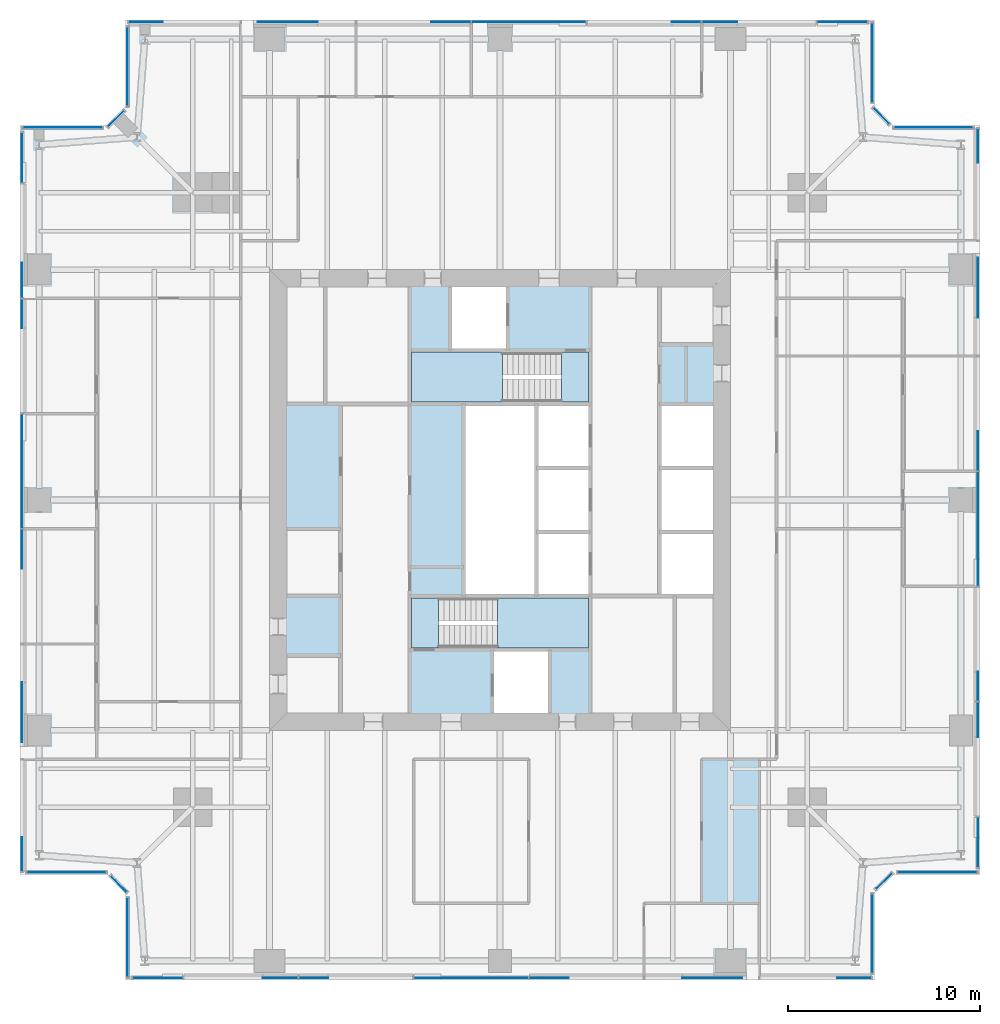
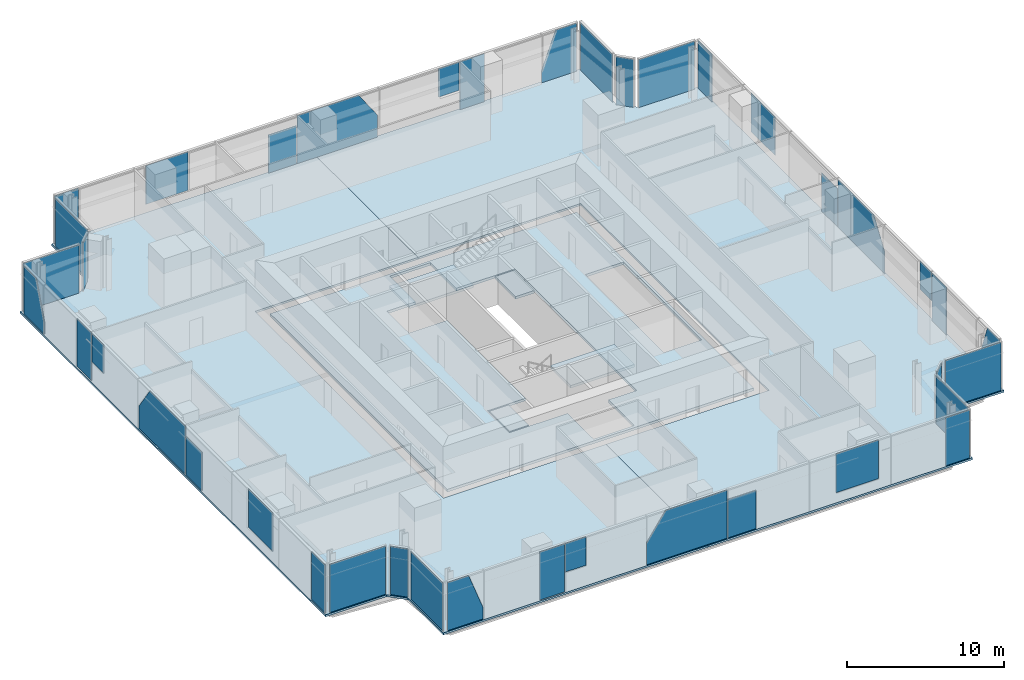
# One storey, part 8 of 14: 40 plates, 7 slabs, 18 elements without a shape of their own.
"""IFC4 building model written with IfcOpenShell, lengths in metres."""

import ifcopenshell
import ifcopenshell.guid

model = None  # the IFC model being written
_history = None  # IfcOwnerHistory: only IFC2X3 demands one
_inside = {}  # id of a spatial element -> (the spatial element, [elements in it])
_under = {}  # id of a project, library or spatial element -> (it, [spatial elements below it])
_declared = {}  # id of a project -> (the project, [libraries it declares])
_typed = {}  # id of a type object -> (the type object, [elements of that type])
_made_of = {}  # id of a material, layer set ... -> (it, [elements and type objects made of it])


def new_model(schema):
    """Start an empty IFC model of exactly this schema.

    Asked for "IFC4X3", IfcOpenShell would pick the latest addendum, in which some entities
    have other attributes; the version numbers below select the first issue.
    IFC2X3 requires an IfcOwnerHistory on every rooted entity: one is made here for all.
    """
    global model, _history
    if schema == "IFC4X3":
        model = ifcopenshell.file(schema_version=(4, 3, 0, 0))
    else:
        model = ifcopenshell.file(schema=schema)
    _inside.clear()
    _under.clear()
    _declared.clear()
    _typed.clear()
    _made_of.clear()
    _history = None
    if model.schema == "IFC2X3":
        org = make("IfcOrganization", Name="unknown")
        user = make(
            "IfcPersonAndOrganization",
            ThePerson=make("IfcPerson", FamilyName="unknown"),
            TheOrganization=org,
        )
        app = make(
            "IfcApplication",
            ApplicationDeveloper=org,
            Version="unknown",
            ApplicationFullName="unknown",
            ApplicationIdentifier="unknown",
        )
        _history = make(
            "IfcOwnerHistory",
            OwningUser=user,
            OwningApplication=app,
            ChangeAction="ADDED",
            CreationDate=0,
        )
    return model


def make(cls, **values):
    """One entity of the class cls with the attributes given. An attribute that is None is left unset."""
    return model.create_entity(
        cls, **{name: value for name, value in values.items() if value is not None}
    )


def rooted(cls, **values):
    """An entity with a GlobalId (a new one), such as an element, a storey or a relation."""
    return make(cls, GlobalId=ifcopenshell.guid.new(), OwnerHistory=_history, **values)


def si_unit(unit_type, name, prefix=None):
    """IfcSIUnit, for example si_unit("LENGTHUNIT", "METRE", prefix="MILLI")."""
    return make("IfcSIUnit", UnitType=unit_type, Prefix=prefix, Name=name)


def assignment(units):
    """IfcUnitAssignment: the units of a project."""
    return None if units is None else make("IfcUnitAssignment", Units=units)


def point(xyz):
    """IfcCartesianPoint."""
    return None if xyz is None else make("IfcCartesianPoint", Coordinates=xyz)


def direction(xyz):
    """IfcDirection."""
    return None if xyz is None else make("IfcDirection", DirectionRatios=xyz)


def frame(location, z_axis=None, x_axis=None):
    """IfcAxis2Placement3D, a coordinate frame: its origin and axes. An axis left out is left unset."""
    return make(
        "IfcAxis2Placement3D",
        Location=point(location),
        Axis=direction(z_axis),
        RefDirection=direction(x_axis),
    )


def frame_2d(location, x_axis=None):
    """IfcAxis2Placement2D, a coordinate frame in the plane: its origin and x axis."""
    return make(
        "IfcAxis2Placement2D", Location=point(location), RefDirection=direction(x_axis)
    )


def origin():
    """The frame at (0, 0, 0) with its axes left unset."""
    return frame((0.0, 0.0, 0.0))


def origin_2d():
    """The frame at (0, 0) in the plane with its x axis left unset."""
    return frame_2d((0.0, 0.0))


def place(relative_to, where):
    """IfcLocalPlacement: puts the frame where relative to a parent placement (None: the world)."""
    return make(
        "IfcLocalPlacement", PlacementRelTo=relative_to, RelativePlacement=where
    )


def context(
    kind, dimensions, precision=None, world=None, true_north=None, identifier=None
):
    """IfcGeometricRepresentationContext, for example the 3D "Model" context."""
    return make(
        "IfcGeometricRepresentationContext",
        ContextIdentifier=identifier,
        ContextType=kind,
        CoordinateSpaceDimension=dimensions,
        Precision=precision,
        WorldCoordinateSystem=world,
        TrueNorth=true_north,
    )


def subcontext(parent, identifier, kind, view, scale=None):
    """IfcGeometricRepresentationSubContext, for example "Body" below "Model"."""
    return make(
        "IfcGeometricRepresentationSubContext",
        ContextIdentifier=identifier,
        ContextType=kind,
        ParentContext=parent,
        TargetScale=scale,
        TargetView=view,
    )


def project(units=None, contexts=None):
    """IfcProject with its units and contexts."""
    return rooted(
        "IfcProject",
        Name="project",
        RepresentationContexts=contexts,
        UnitsInContext=assignment(units),
    )


def spatial(cls, under=None, at=None, **own):
    """A site, building, storey or space (cls), placed at a placement, below another one or the project."""
    s = rooted(cls, ObjectPlacement=at, **own)
    if under is not None:
        _under.setdefault(under.id(), (under, []))[1].append(s)
    return s


def polyline(points):
    """IfcPolyline through the points."""
    return make("IfcPolyline", Points=[point(p) for p in points])


def profile(cls, at=None, kind="AREA", **sizes):
    """A parametric profile (cls). Its sizes go by their IFC names, for example OverallWidth=200.0."""
    return make(cls, ProfileType=kind, Position=at, **sizes)


def rectangle(**sizes):
    """IfcRectangleProfileDef."""
    return profile("IfcRectangleProfileDef", **sizes)


def outline(outer, holes=None, kind="AREA"):
    """IfcArbitraryClosedProfileDef: a profile drawn as a closed curve; with holes, ...WithVoids."""
    if holes is None:
        return make("IfcArbitraryClosedProfileDef", ProfileType=kind, OuterCurve=outer)
    return make(
        "IfcArbitraryProfileDefWithVoids",
        ProfileType=kind,
        OuterCurve=outer,
        InnerCurves=holes,
    )


def extrude(swept, where, along, depth):
    """IfcExtrudedAreaSolid: the profile swept, set in the frame where, extruded along a direction by depth."""
    return make(
        "IfcExtrudedAreaSolid",
        SweptArea=swept,
        Position=where,
        ExtrudedDirection=direction(along),
        Depth=depth,
    )


def shape(context_of_items, identifier, shape_type, items):
    """IfcShapeRepresentation: the items that make up one representation, for example the "Body"."""
    return make(
        "IfcShapeRepresentation",
        ContextOfItems=context_of_items,
        RepresentationIdentifier=identifier,
        RepresentationType=shape_type,
        Items=items,
    )


def material(Name=None, Category=None):
    """IfcMaterial."""
    return make("IfcMaterial", Name=Name, Category=Category)


def layer(
    of_material, thickness, ventilated=None, Name=None, Category=None, Priority=None
):
    """IfcMaterialLayer: one layer of a wall or slab, of a material (None: an air gap)."""
    return make(
        "IfcMaterialLayer",
        Material=of_material,
        LayerThickness=thickness,
        IsVentilated=ventilated,
        Name=Name,
        Category=Category,
        Priority=Priority,
    )


def layer_set(layers, Name=None):
    """IfcMaterialLayerSet."""
    return make("IfcMaterialLayerSet", MaterialLayers=layers, LayerSetName=Name)


def made_of(thing, what):
    """Note that an element or type object is made of a material, layer set ...; save() writes the relation."""
    if what is not None:
        _made_of.setdefault(what.id(), (what, []))[1].append(thing)
    return thing


def type_object(cls, material=None, **own):
    """A type object (cls), such as IfcWallType, which elements share."""
    return made_of(rooted(cls, **own), material)


def element(
    cls,
    number,
    at=None,
    inside=None,
    cuts=None,
    type_object=None,
    material=None,
    context=None,
    identifier="Body",
    shape_type=None,
    held_by="IfcProductDefinitionShape",
    body=None,
    shapes=None,
    **own,
):
    """One element of the class cls, such as IfcWall. Its Tag is "e" and its number.

    at: its placement. inside: the storey or other place that contains it. cuts: it is an
    opening in that element (IfcRelVoidsElement). A single representation is given by context,
    identifier, shape_type and body (its items); several are given by shapes. held_by: the class
    of the entity that holds the representations. save() writes the other relations.
    """
    e = rooted(cls, Tag="e%d" % number, ObjectPlacement=at, **own)
    if body is not None:
        shapes = [shape(context, identifier, shape_type, body)]
    if shapes is not None:
        e.Representation = make(held_by, Representations=shapes)
    if inside is not None:
        _inside.setdefault(inside.id(), (inside, []))[1].append(e)
    if cuts is not None:
        rooted(
            "IfcRelVoidsElement", RelatingBuildingElement=cuts, RelatedOpeningElement=e
        )
    if type_object is not None:
        _typed.setdefault(type_object.id(), (type_object, []))[1].append(e)
    return made_of(e, material)


def aggregate(whole, parts):
    """IfcRelAggregates: a whole, such as a stair, and the parts it consists of."""
    return rooted("IfcRelAggregates", RelatingObject=whole, RelatedObjects=parts)


def save(model, path):
    """Write the relations noted so far, then the file.

    IfcRelAggregates (storeys below a building ...), IfcRelContainedInSpatialStructure (elements
    in a storey), IfcRelDefinesByType, IfcRelAssociatesMaterial and IfcRelDeclares: one each for
    every whole, place, type object, material and project.
    """
    for whole, parts in _under.values():
        aggregate(whole, parts)
    for where, things in _inside.values():
        rooted(
            "IfcRelContainedInSpatialStructure",
            RelatedElements=things,
            RelatingStructure=where,
        )
    for kind, things in _typed.values():
        rooted("IfcRelDefinesByType", RelatedObjects=things, RelatingType=kind)
    for what, things in _made_of.values():
        rooted("IfcRelAssociatesMaterial", RelatedObjects=things, RelatingMaterial=what)
    for by, libraries in _declared.values():
        rooted("IfcRelDeclares", RelatingContext=by, RelatedDefinitions=libraries)
    model.write(path)


model = new_model("IFC4")

# Units and contexts
model_context = context("Model", 3, precision=1e-05, world=origin(), true_north=direction((0.0, 1.0)))
body_context = subcontext(model_context, "Body", "Model", "MODEL_VIEW")
ifc_project = project(units=[si_unit("LENGTHUNIT", "METRE"), si_unit("AREAUNIT", "SQUARE_METRE"), si_unit("VOLUMEUNIT", "CUBIC_METRE"), si_unit("PLANEANGLEUNIT", "RADIAN"), si_unit("MASSUNIT", "GRAM", prefix="KILO")], contexts=[model_context])

# Site, building, storey
site_placement = place(None, origin())
site = spatial("IfcSite", under=ifc_project, at=site_placement, CompositionType="ELEMENT")
building_placement = place(site_placement, origin())
building = spatial("IfcBuilding", under=site, at=building_placement, Name="Fenwick Lantern Interchange", CompositionType="ELEMENT")
storey_placement = place(building_placement, frame((0.0, 0.0, 173.800048828125)))
storey = spatial("IfcBuildingStorey", under=building, at=storey_placement, Name="L40", CompositionType="ELEMENT", Elevation=173.800048828125)

# Slabs
ifc_material_1 = material(Name="Concrete f'c 35 MPa", Category="concrete")
ifc_layer_1 = layer(ifc_material_1, 0.199951171875)
ifc_layer_set_1 = layer_set([ifc_layer_1], Name="CORE FLOOR SLAB 200")
slab_type_1 = type_object("IfcSlabType", Name="CORE FLOOR SLAB 200", PredefinedType="FLOOR", material=ifc_layer_set_1)
slab_1_placement = place(storey_placement, frame((0.0, 0.0, -0.199951171875)))
element("IfcSlab", 1, at=slab_1_placement, inside=storey, type_object=slab_type_1, Name="L40/SLAB/CORE", PredefinedType="FLOOR", context=body_context, shape_type="SweptSolid", body=[
    extrude(outline(polyline([(13.699951171875, 36.300048828125), (36.300048828125, 36.300048828125), (36.300048828125, 13.699951171875), (13.699951171875, 13.699951171875), (13.699951171875, 36.300048828125)]), holes=[polyline([(24.60009765625, 13.89990234375), (27.60009765625, 13.89990234375), (27.60009765625, 17.199951171875), (29.699951171875, 17.199951171875), (29.699951171875, 20.0), (29.699951171875, 23.333251953125), (29.699951171875, 26.666748046875), (29.699951171875, 30.0), (29.699951171875, 32.800048828125), (25.39990234375, 32.800048828125), (25.39990234375, 36.10009765625), (22.39990234375, 36.10009765625), (22.39990234375, 32.800048828125), (20.300048828125, 32.800048828125), (20.300048828125, 30.0), (23.10009765625, 30.0), (23.10009765625, 20.0), (20.300048828125, 20.0), (20.300048828125, 17.199951171875), (24.60009765625, 17.199951171875), (24.60009765625, 13.89990234375)]), polyline([(33.300048828125, 23.333251953125), (33.300048828125, 20.0), (36.10009765625, 20.0), (36.10009765625, 23.333251953125), (36.10009765625, 26.666748046875), (36.10009765625, 30.0), (33.300048828125, 30.0), (33.300048828125, 26.666748046875), (33.300048828125, 23.333251953125)])]), origin(), (0.0, 0.0, 1.0), 0.199951171875),
])
ifc_material_2 = material(Name="Concrete f'c 35 MPa", Category="concrete")
ifc_layer_2 = layer(ifc_material_2, 0.14990234375)
ifc_layer_set_2 = layer_set([ifc_layer_2], Name="Concrete f'c 35 MPa")
slab_type_2 = type_object("IfcSlabType", Name="FLOOR SLAB 150", PredefinedType="FLOOR", material=ifc_layer_set_2)
slab_2_placement = place(storey_placement, frame((0.0, 0.0, -0.150146484375)))
element("IfcSlab", 2, at=slab_2_placement, inside=storey, type_object=slab_type_2, Name="L40/SLAB/FW", PredefinedType="FLOOR", context=body_context, shape_type="SweptSolid", body=[
    extrude(outline(polyline([(5.5, 0.0), (5.5, 4.5), (4.5, 5.5), (0.0, 5.5), (0.0, 44.5), (4.5, 44.5), (5.5, 45.5), (5.5, 50.0), (25.0, 50.0), (25.0, 37.0), (13.0, 37.0), (13.0, 13.0), (25.0, 13.0), (25.0, 0.0), (5.5, 0.0)])), origin(), (0.0, 0.0, 1.0), 0.150146484375),
])
slab_3_placement = place(storey_placement, frame((0.0, 0.0, -0.150146484375)))
element("IfcSlab", 3, at=slab_3_placement, inside=storey, type_object=slab_type_2, Name="L40/SLAB/FE", PredefinedType="FLOOR", context=body_context, shape_type="SweptSolid", body=[
    extrude(outline(polyline([(44.5, 50.0), (44.5, 45.5), (45.5, 44.5), (50.0, 44.5), (50.0, 5.5), (45.5, 5.5), (44.5, 4.5), (44.5, 0.0), (25.0, 0.0), (25.0, 13.0), (37.0, 13.0), (37.0, 37.0), (25.0, 37.0), (25.0, 50.0), (44.5, 50.0)])), origin(), (0.0, 0.0, 1.0), 0.150146484375),
])

# Curtain wall, plates
ifc_material_3 = material(Name="Aluminium curtain wall frame", Category="aluminium")
curtain_wall_type = type_object("IfcCurtainWallType", Name="OFFICE CURTAIN WALL", PredefinedType="USERDEFINED", material=ifc_material_3)
curtain_wall_1_placement = place(storey_placement, origin())
curtain_wall_1 = element("IfcCurtainWall", 4, at=curtain_wall_1_placement, inside=storey, type_object=curtain_wall_type, Name="Office curtain wall 01", ObjectType="OFFICE CURTAIN WALL", PredefinedType="USERDEFINED")
ifc_material_4 = material(Name="Vision glass, clear low-iron double glazed", Category="glass")
ifc_layer_3 = layer(ifc_material_4, 0.031982421875)
ifc_layer_set_3 = layer_set([ifc_layer_3], Name="OFFICE CURTAIN WALL PANEL 32")
plate_type = type_object("IfcPlateType", Name="OFFICE CURTAIN WALL PANEL 32", PredefinedType="CURTAIN_PANEL", material=ifc_layer_set_3)
plate_1_placement = place(storey_placement, frame((5.60009765625, 0.10009765625, 0.0), z_axis=(0.0, 0.0, 1.0), x_axis=(1.0, 0.0, 0.0)))
plate_1 = element("IfcPlate", 5, at=plate_1_placement, type_object=plate_type, Name="L40/CW/01/P00a", PredefinedType="CURTAIN_PANEL", context=body_context, shape_type="SweptSolid", body=[
    extrude(outline(polyline([(0.264892578125, 0.0), (2.867431640625, 0.0), (2.867431640625, 0.932373046875), (1.8203125, 3.75), (0.264892578125, 3.75), (0.264892578125, 0.0)])), frame((0.0, 0.01611328125, 0.0), z_axis=(0.0, -1.0, 0.0), x_axis=(1.0, 0.0, 0.0)), (0.0, 0.0, 1.0), 0.031982421875),
])
plate_2_placement = place(storey_placement, frame((5.60009765625, 0.10009765625, 0.009521484375), z_axis=(0.0, 0.0, 1.0), x_axis=(1.0, 0.0, 0.0)))
plate_2 = element("IfcPlate", 6, at=plate_2_placement, type_object=plate_type, Name="L40/CW/01/P01a", PredefinedType="CURTAIN_PANEL", context=body_context, shape_type="SweptSolid", body=[
    extrude(outline(polyline([(7.051025390625, 0.0), (8.867431640625, 0.0), (8.867431640625, 3.740478515625), (7.051025390625, 3.740478515625), (7.051025390625, 0.0)])), frame((0.0, 0.01611328125, 0.0), z_axis=(0.0, -1.0, 0.0), x_axis=(1.0, 0.0, 0.0)), (0.0, 0.0, 1.0), 0.031982421875),
])
plate_3_placement = place(storey_placement, frame((5.60009765625, 0.10009765625, 1.533935546875), z_axis=(0.0, 0.0, 1.0), x_axis=(1.0, 0.0, 0.0)))
plate_3 = element("IfcPlate", 7, at=plate_3_placement, type_object=plate_type, Name="L40/CW/01/P02a", PredefinedType="CURTAIN_PANEL", context=body_context, shape_type="SweptSolid", body=[
    extrude(outline(polyline([(8.9326171875, 0.0), (10.452392578125, 0.0), (10.452392578125, 2.216064453125), (8.9326171875, 2.216064453125), (8.9326171875, 0.0)])), frame((0.0, 0.01611328125, 0.0), z_axis=(0.0, -1.0, 0.0), x_axis=(1.0, 0.0, 0.0)), (0.0, 0.0, 1.0), 0.031982421875),
])
plate_4_placement = place(storey_placement, frame((5.60009765625, 0.10009765625, 0.0), z_axis=(0.0, 0.0, 1.0), x_axis=(1.0, 0.0, 0.0)))
plate_4 = element("IfcPlate", 8, at=plate_4_placement, type_object=plate_type, Name="L40/CW/01/P03a", PredefinedType="CURTAIN_PANEL", context=body_context, shape_type="SweptSolid", body=[
    extrude(outline(polyline([(14.9326171875, 0.0), (20.867431640625, 0.0), (20.867431640625, 3.75), (16.338623046875, 3.75), (14.9326171875, 1.700439453125), (14.9326171875, 0.0)])), frame((0.0, 0.01611328125, 0.0), z_axis=(0.0, -1.0, 0.0), x_axis=(1.0, 0.0, 0.0)), (0.0, 0.0, 1.0), 0.031982421875),
])
plate_5_placement = place(storey_placement, frame((5.60009765625, 0.10009765625, 0.0), z_axis=(0.0, 0.0, 1.0), x_axis=(1.0, 0.0, 0.0)))
plate_5 = element("IfcPlate", 9, at=plate_5_placement, type_object=plate_type, Name="L40/CW/01/P04a", PredefinedType="CURTAIN_PANEL", context=body_context, shape_type="SweptSolid", body=[
    extrude(outline(polyline([(20.9326171875, 0.0), (22.982421875, 0.0), (22.982421875, 2.990478515625), (20.9326171875, 2.990478515625), (20.9326171875, 0.0)])), frame((0.0, 0.01611328125, 0.0), z_axis=(0.0, -1.0, 0.0), x_axis=(1.0, 0.0, 0.0)), (0.0, 0.0, 1.0), 0.031982421875),
])
plate_6_placement = place(storey_placement, frame((5.60009765625, 0.10009765625, 0.732421875), z_axis=(0.0, 0.0, 1.0), x_axis=(1.0, 0.0, 0.0)))
plate_6 = element("IfcPlate", 10, at=plate_6_placement, type_object=plate_type, Name="L40/CW/01/P05a", PredefinedType="CURTAIN_PANEL", context=body_context, shape_type="SweptSolid", body=[
    extrude(outline(polyline([(28.8974609375, 0.0), (32.017578125, 0.0), (32.017578125, 3.017578125), (28.8974609375, 3.017578125), (28.8974609375, 0.0)])), frame((0.0, 0.01611328125, 0.0), z_axis=(0.0, -1.0, 0.0), x_axis=(1.0, 0.0, 0.0)), (0.0, 0.0, 1.0), 0.031982421875),
])
plate_7_placement = place(storey_placement, frame((5.60009765625, 0.10009765625, 0.0), z_axis=(0.0, 0.0, 1.0), x_axis=(1.0, 0.0, 0.0)))
plate_7 = element("IfcPlate", 11, at=plate_7_placement, type_object=plate_type, Name="L40/CW/01/P06a", PredefinedType="CURTAIN_PANEL", context=body_context, shape_type="SweptSolid", body=[
    extrude(outline(polyline([(36.97607421875, 0.0), (38.735107421875, 0.0), (38.735107421875, 3.740234375), (36.97607421875, 3.740234375), (36.97607421875, 0.0)])), frame((0.0, 0.01611328125, 0.0), z_axis=(0.0, -1.0, 0.0), x_axis=(1.0, 0.0, 0.0)), (0.0, 0.0, 1.0), 0.031982421875),
])
aggregate(curtain_wall_1, [plate_1, plate_2, plate_3, plate_4, plate_5, plate_6, plate_7])

# Curtain wall, plate
curtain_wall_2_placement = place(storey_placement, origin())
curtain_wall_2 = element("IfcCurtainWall", 12, at=curtain_wall_2_placement, inside=storey, type_object=curtain_wall_type, Name="Office curtain wall 02", ObjectType="OFFICE CURTAIN WALL", PredefinedType="USERDEFINED")
plate_8_placement = place(storey_placement, frame((44.39990234375, 2.420654296875, 0.0), z_axis=(0.0, 0.0, 1.0), x_axis=(0.0, 1.0, 0.0)))
plate_8 = element("IfcPlate", 13, at=plate_8_placement, type_object=plate_type, Name="L40/CW/02/P00", PredefinedType="CURTAIN_PANEL", context=body_context, shape_type="SweptSolid", body=[
    extrude(rectangle(XDim=4.111328125, YDim=0.031982421875, at=origin_2d()), origin(), (0.0, 0.0, 1.0), 3.75),
])
aggregate(curtain_wall_2, [plate_8])

curtain_wall_3_placement = place(storey_placement, origin())
curtain_wall_3 = element("IfcCurtainWall", 14, at=curtain_wall_3_placement, inside=storey, type_object=curtain_wall_type, Name="Office curtain wall 03", ObjectType="OFFICE CURTAIN WALL", PredefinedType="USERDEFINED")
plate_9_placement = place(storey_placement, frame((45.0, 5.141357421875, 0.0), z_axis=(0.0, 0.0, 1.0), x_axis=(0.707106781187, 0.707106781187, 0.0)))
plate_9 = element("IfcPlate", 15, at=plate_9_placement, type_object=plate_type, Name="L40/CW/03/P00", PredefinedType="CURTAIN_PANEL", context=body_context, shape_type="SweptSolid", body=[
    extrude(rectangle(XDim=1.1669921875, YDim=0.031982421875, at=origin_2d()), origin(), (0.0, 0.0, 1.0), 3.75),
])
aggregate(curtain_wall_3, [plate_9])

curtain_wall_4_placement = place(storey_placement, origin())
curtain_wall_4 = element("IfcCurtainWall", 16, at=curtain_wall_4_placement, inside=storey, type_object=curtain_wall_type, Name="Office curtain wall 04", ObjectType="OFFICE CURTAIN WALL", PredefinedType="USERDEFINED")
plate_10_placement = place(storey_placement, frame((47.779296875, 5.60009765625, 0.0), z_axis=(0.0, 0.0, 1.0), x_axis=(1.0, 0.0, 0.0)))
plate_10 = element("IfcPlate", 17, at=plate_10_placement, type_object=plate_type, Name="L40/CW/04/P00", PredefinedType="CURTAIN_PANEL", context=body_context, shape_type="SweptSolid", body=[
    extrude(rectangle(XDim=4.111328125, YDim=0.031982421875, at=origin_2d()), origin(), (0.0, 0.0, 1.0), 3.75),
])
aggregate(curtain_wall_4, [plate_10])

# Curtain wall, plates
curtain_wall_5_placement = place(storey_placement, origin())
curtain_wall_5 = element("IfcCurtainWall", 18, at=curtain_wall_5_placement, inside=storey, type_object=curtain_wall_type, Name="Office curtain wall 05", ObjectType="OFFICE CURTAIN WALL", PredefinedType="USERDEFINED")
plate_11_placement = place(storey_placement, frame((49.89990234375, 5.60009765625, 0.0), z_axis=(0.0, 0.0, 1.0), x_axis=(0.0, 1.0, 0.0)))
plate_11 = element("IfcPlate", 19, at=plate_11_placement, type_object=plate_type, Name="L40/CW/05/P00a", PredefinedType="CURTAIN_PANEL", context=body_context, shape_type="SweptSolid", body=[
    extrude(outline(polyline([(0.264892578125, 0.0), (2.867431640625, 0.0), (2.867431640625, 0.932373046875), (1.8203125, 3.75), (0.264892578125, 3.75), (0.264892578125, 0.0)])), frame((0.0, 0.01611328125, 0.0), z_axis=(0.0, -1.0, 0.0), x_axis=(1.0, 0.0, 0.0)), (0.0, 0.0, 1.0), 0.031982421875),
])
plate_12_placement = place(storey_placement, frame((49.89990234375, 5.60009765625, 0.009521484375), z_axis=(0.0, 0.0, 1.0), x_axis=(0.0, 1.0, 0.0)))
plate_12 = element("IfcPlate", 20, at=plate_12_placement, type_object=plate_type, Name="L40/CW/05/P01a", PredefinedType="CURTAIN_PANEL", context=body_context, shape_type="SweptSolid", body=[
    extrude(outline(polyline([(7.051025390625, 0.0), (8.867431640625, 0.0), (8.867431640625, 3.740478515625), (7.051025390625, 3.740478515625), (7.051025390625, 0.0)])), frame((0.0, 0.01611328125, 0.0), z_axis=(0.0, -1.0, 0.0), x_axis=(1.0, 0.0, 0.0)), (0.0, 0.0, 1.0), 0.031982421875),
])
plate_13_placement = place(storey_placement, frame((49.89990234375, 5.60009765625, 1.533935546875), z_axis=(0.0, 0.0, 1.0), x_axis=(0.0, 1.0, 0.0)))
plate_13 = element("IfcPlate", 21, at=plate_13_placement, type_object=plate_type, Name="L40/CW/05/P02a", PredefinedType="CURTAIN_PANEL", context=body_context, shape_type="SweptSolid", body=[
    extrude(outline(polyline([(8.9326171875, 0.0), (10.452392578125, 0.0), (10.452392578125, 2.216064453125), (8.9326171875, 2.216064453125), (8.9326171875, 0.0)])), frame((0.0, 0.01611328125, 0.0), z_axis=(0.0, -1.0, 0.0), x_axis=(1.0, 0.0, 0.0)), (0.0, 0.0, 1.0), 0.031982421875),
])
plate_14_placement = place(storey_placement, frame((49.89990234375, 5.60009765625, 0.0), z_axis=(0.0, 0.0, 1.0), x_axis=(0.0, 1.0, 0.0)))
plate_14 = element("IfcPlate", 22, at=plate_14_placement, type_object=plate_type, Name="L40/CW/05/P03a", PredefinedType="CURTAIN_PANEL", context=body_context, shape_type="SweptSolid", body=[
    extrude(outline(polyline([(14.9326171875, 0.0), (20.867431640625, 0.0), (20.867431640625, 3.75), (16.338623046875, 3.75), (14.9326171875, 1.700439453125), (14.9326171875, 0.0)])), frame((0.0, 0.01611328125, 0.0), z_axis=(0.0, -1.0, 0.0), x_axis=(1.0, 0.0, 0.0)), (0.0, 0.0, 1.0), 0.031982421875),
])
plate_15_placement = place(storey_placement, frame((49.89990234375, 5.60009765625, 0.0), z_axis=(0.0, 0.0, 1.0), x_axis=(0.0, 1.0, 0.0)))
plate_15 = element("IfcPlate", 23, at=plate_15_placement, type_object=plate_type, Name="L40/CW/05/P04a", PredefinedType="CURTAIN_PANEL", context=body_context, shape_type="SweptSolid", body=[
    extrude(outline(polyline([(20.9326171875, 0.0), (22.982421875, 0.0), (22.982421875, 2.990478515625), (20.9326171875, 2.990478515625), (20.9326171875, 0.0)])), frame((0.0, 0.01611328125, 0.0), z_axis=(0.0, -1.0, 0.0), x_axis=(1.0, 0.0, 0.0)), (0.0, 0.0, 1.0), 0.031982421875),
])
plate_16_placement = place(storey_placement, frame((49.89990234375, 5.60009765625, 0.732421875), z_axis=(0.0, 0.0, 1.0), x_axis=(0.0, 1.0, 0.0)))
plate_16 = element("IfcPlate", 24, at=plate_16_placement, type_object=plate_type, Name="L40/CW/05/P05a", PredefinedType="CURTAIN_PANEL", context=body_context, shape_type="SweptSolid", body=[
    extrude(outline(polyline([(28.8974609375, 0.0), (32.017578125, 0.0), (32.017578125, 3.017578125), (28.8974609375, 3.017578125), (28.8974609375, 0.0)])), frame((0.0, 0.01611328125, 0.0), z_axis=(0.0, -1.0, 0.0), x_axis=(1.0, 0.0, 0.0)), (0.0, 0.0, 1.0), 0.031982421875),
])
plate_17_placement = place(storey_placement, frame((49.89990234375, 5.60009765625, 0.0), z_axis=(0.0, 0.0, 1.0), x_axis=(0.0, 1.0, 0.0)))
plate_17 = element("IfcPlate", 25, at=plate_17_placement, type_object=plate_type, Name="L40/CW/05/P06a", PredefinedType="CURTAIN_PANEL", context=body_context, shape_type="SweptSolid", body=[
    extrude(outline(polyline([(36.97607421875, 0.0), (38.735107421875, 0.0), (38.735107421875, 3.740234375), (36.97607421875, 3.740234375), (36.97607421875, 0.0)])), frame((0.0, 0.01611328125, 0.0), z_axis=(0.0, -1.0, 0.0), x_axis=(1.0, 0.0, 0.0)), (0.0, 0.0, 1.0), 0.031982421875),
])
aggregate(curtain_wall_5, [plate_11, plate_12, plate_13, plate_14, plate_15, plate_16, plate_17])

# Curtain wall, plate
curtain_wall_6_placement = place(storey_placement, origin())
curtain_wall_6 = element("IfcCurtainWall", 26, at=curtain_wall_6_placement, inside=storey, type_object=curtain_wall_type, Name="Office curtain wall 06", ObjectType="OFFICE CURTAIN WALL", PredefinedType="USERDEFINED")
plate_18_placement = place(storey_placement, frame((47.579345703125, 44.39990234375, 0.0), z_axis=(0.0, 0.0, 1.0), x_axis=(-1.0, 0.0, 0.0)))
plate_18 = element("IfcPlate", 27, at=plate_18_placement, type_object=plate_type, Name="L40/CW/06/P00", PredefinedType="CURTAIN_PANEL", context=body_context, shape_type="SweptSolid", body=[
    extrude(rectangle(XDim=4.111328125, YDim=0.031982421875, at=origin_2d()), origin(), (0.0, 0.0, 1.0), 3.75),
])
aggregate(curtain_wall_6, [plate_18])

curtain_wall_7_placement = place(storey_placement, origin())
curtain_wall_7 = element("IfcCurtainWall", 28, at=curtain_wall_7_placement, inside=storey, type_object=curtain_wall_type, Name="Office curtain wall 07", ObjectType="OFFICE CURTAIN WALL", PredefinedType="USERDEFINED")
plate_19_placement = place(storey_placement, frame((44.858642578125, 45.0, 0.0), z_axis=(0.0, 0.0, 1.0), x_axis=(-0.707106781187, 0.707106781187, 0.0)))
plate_19 = element("IfcPlate", 29, at=plate_19_placement, type_object=plate_type, Name="L40/CW/07/P00", PredefinedType="CURTAIN_PANEL", context=body_context, shape_type="SweptSolid", body=[
    extrude(rectangle(XDim=1.1669921875, YDim=0.031982421875, at=origin_2d()), origin(), (0.0, 0.0, 1.0), 3.75),
])
aggregate(curtain_wall_7, [plate_19])

curtain_wall_8_placement = place(storey_placement, origin())
curtain_wall_8 = element("IfcCurtainWall", 30, at=curtain_wall_8_placement, inside=storey, type_object=curtain_wall_type, Name="Office curtain wall 08", ObjectType="OFFICE CURTAIN WALL", PredefinedType="USERDEFINED")
plate_20_placement = place(storey_placement, frame((44.39990234375, 47.779296875, 0.0), z_axis=(0.0, 0.0, 1.0), x_axis=(0.0, 1.0, 0.0)))
plate_20 = element("IfcPlate", 31, at=plate_20_placement, type_object=plate_type, Name="L40/CW/08/P00", PredefinedType="CURTAIN_PANEL", context=body_context, shape_type="SweptSolid", body=[
    extrude(rectangle(XDim=4.111328125, YDim=0.031982421875, at=origin_2d()), origin(), (0.0, 0.0, 1.0), 3.75),
])
aggregate(curtain_wall_8, [plate_20])

# Curtain wall, plates
curtain_wall_9_placement = place(storey_placement, origin())
curtain_wall_9 = element("IfcCurtainWall", 32, at=curtain_wall_9_placement, inside=storey, type_object=curtain_wall_type, Name="Office curtain wall 09", ObjectType="OFFICE CURTAIN WALL", PredefinedType="USERDEFINED")
plate_21_placement = place(storey_placement, frame((44.39990234375, 49.89990234375, 0.0), z_axis=(0.0, 0.0, 1.0), x_axis=(-1.0, 0.0, 0.0)))
plate_21 = element("IfcPlate", 33, at=plate_21_placement, type_object=plate_type, Name="L40/CW/09/P00a", PredefinedType="CURTAIN_PANEL", context=body_context, shape_type="SweptSolid", body=[
    extrude(outline(polyline([(0.264892578125, 0.0), (2.867431640625, 0.0), (2.867431640625, 0.932373046875), (1.8203125, 3.75), (0.264892578125, 3.75), (0.264892578125, 0.0)])), frame((0.0, 0.01611328125, 0.0), z_axis=(0.0, -1.0, 0.0), x_axis=(1.0, 0.0, 0.0)), (0.0, 0.0, 1.0), 0.031982421875),
])
plate_22_placement = place(storey_placement, frame((44.39990234375, 49.89990234375, 0.009521484375), z_axis=(0.0, 0.0, 1.0), x_axis=(-1.0, 0.0, 0.0)))
plate_22 = element("IfcPlate", 34, at=plate_22_placement, type_object=plate_type, Name="L40/CW/09/P01a", PredefinedType="CURTAIN_PANEL", context=body_context, shape_type="SweptSolid", body=[
    extrude(outline(polyline([(7.051025390625, 0.0), (8.867431640625, 0.0), (8.867431640625, 3.740478515625), (7.051025390625, 3.740478515625), (7.051025390625, 0.0)])), frame((0.0, 0.01611328125, 0.0), z_axis=(0.0, -1.0, 0.0), x_axis=(1.0, 0.0, 0.0)), (0.0, 0.0, 1.0), 0.031982421875),
])
plate_23_placement = place(storey_placement, frame((44.39990234375, 49.89990234375, 1.533935546875), z_axis=(0.0, 0.0, 1.0), x_axis=(-1.0, 0.0, 0.0)))
plate_23 = element("IfcPlate", 35, at=plate_23_placement, type_object=plate_type, Name="L40/CW/09/P02a", PredefinedType="CURTAIN_PANEL", context=body_context, shape_type="SweptSolid", body=[
    extrude(outline(polyline([(8.9326171875, 0.0), (10.452392578125, 0.0), (10.452392578125, 2.216064453125), (8.9326171875, 2.216064453125), (8.9326171875, 0.0)])), frame((0.0, 0.01611328125, 0.0), z_axis=(0.0, -1.0, 0.0), x_axis=(1.0, 0.0, 0.0)), (0.0, 0.0, 1.0), 0.031982421875),
])
plate_24_placement = place(storey_placement, frame((44.39990234375, 49.89990234375, 0.0), z_axis=(0.0, 0.0, 1.0), x_axis=(-1.0, 0.0, 0.0)))
plate_24 = element("IfcPlate", 36, at=plate_24_placement, type_object=plate_type, Name="L40/CW/09/P03a", PredefinedType="CURTAIN_PANEL", context=body_context, shape_type="SweptSolid", body=[
    extrude(outline(polyline([(14.9326171875, 0.0), (20.867431640625, 0.0), (20.867431640625, 3.75), (16.338623046875, 3.75), (14.9326171875, 1.700439453125), (14.9326171875, 0.0)])), frame((0.0, 0.01611328125, 0.0), z_axis=(0.0, -1.0, 0.0), x_axis=(1.0, 0.0, 0.0)), (0.0, 0.0, 1.0), 0.031982421875),
])
plate_25_placement = place(storey_placement, frame((44.39990234375, 49.89990234375, 0.0), z_axis=(0.0, 0.0, 1.0), x_axis=(-1.0, 0.0, 0.0)))
plate_25 = element("IfcPlate", 37, at=plate_25_placement, type_object=plate_type, Name="L40/CW/09/P04a", PredefinedType="CURTAIN_PANEL", context=body_context, shape_type="SweptSolid", body=[
    extrude(outline(polyline([(20.9326171875, 0.0), (22.982421875, 0.0), (22.982421875, 2.990478515625), (20.9326171875, 2.990478515625), (20.9326171875, 0.0)])), frame((0.0, 0.01611328125, 0.0), z_axis=(0.0, -1.0, 0.0), x_axis=(1.0, 0.0, 0.0)), (0.0, 0.0, 1.0), 0.031982421875),
])
plate_26_placement = place(storey_placement, frame((44.39990234375, 49.89990234375, 0.732421875), z_axis=(0.0, 0.0, 1.0), x_axis=(-1.0, 0.0, 0.0)))
plate_26 = element("IfcPlate", 38, at=plate_26_placement, type_object=plate_type, Name="L40/CW/09/P05a", PredefinedType="CURTAIN_PANEL", context=body_context, shape_type="SweptSolid", body=[
    extrude(outline(polyline([(28.8974609375, 0.0), (32.017578125, 0.0), (32.017578125, 3.017578125), (28.8974609375, 3.017578125), (28.8974609375, 0.0)])), frame((0.0, 0.01611328125, 0.0), z_axis=(0.0, -1.0, 0.0), x_axis=(1.0, 0.0, 0.0)), (0.0, 0.0, 1.0), 0.031982421875),
])
plate_27_placement = place(storey_placement, frame((44.39990234375, 49.89990234375, 0.0), z_axis=(0.0, 0.0, 1.0), x_axis=(-1.0, 0.0, 0.0)))
plate_27 = element("IfcPlate", 39, at=plate_27_placement, type_object=plate_type, Name="L40/CW/09/P06a", PredefinedType="CURTAIN_PANEL", context=body_context, shape_type="SweptSolid", body=[
    extrude(outline(polyline([(36.97607421875, 0.0), (38.735107421875, 0.0), (38.735107421875, 3.740234375), (36.97607421875, 3.740234375), (36.97607421875, 0.0)])), frame((0.0, 0.01611328125, 0.0), z_axis=(0.0, -1.0, 0.0), x_axis=(1.0, 0.0, 0.0)), (0.0, 0.0, 1.0), 0.031982421875),
])
aggregate(curtain_wall_9, [plate_21, plate_22, plate_23, plate_24, plate_25, plate_26, plate_27])

# Curtain wall, plate
curtain_wall_10_placement = place(storey_placement, origin())
curtain_wall_10 = element("IfcCurtainWall", 40, at=curtain_wall_10_placement, inside=storey, type_object=curtain_wall_type, Name="Office curtain wall 10", ObjectType="OFFICE CURTAIN WALL", PredefinedType="USERDEFINED")
plate_28_placement = place(storey_placement, frame((5.60009765625, 47.579345703125, 0.0), z_axis=(0.0, 0.0, 1.0), x_axis=(0.0, -1.0, 0.0)))
plate_28 = element("IfcPlate", 41, at=plate_28_placement, type_object=plate_type, Name="L40/CW/10/P00", PredefinedType="CURTAIN_PANEL", context=body_context, shape_type="SweptSolid", body=[
    extrude(rectangle(XDim=4.111328125, YDim=0.031982421875, at=origin_2d()), origin(), (0.0, 0.0, 1.0), 3.75),
])
aggregate(curtain_wall_10, [plate_28])

curtain_wall_11_placement = place(storey_placement, origin())
curtain_wall_11 = element("IfcCurtainWall", 42, at=curtain_wall_11_placement, inside=storey, type_object=curtain_wall_type, Name="Office curtain wall 11", ObjectType="OFFICE CURTAIN WALL", PredefinedType="USERDEFINED")
plate_29_placement = place(storey_placement, frame((5.0, 44.858642578125, 0.0), z_axis=(0.0, 0.0, 1.0), x_axis=(-0.707106781187, -0.707106781187, 0.0)))
plate_29 = element("IfcPlate", 43, at=plate_29_placement, type_object=plate_type, Name="L40/CW/11/P00", PredefinedType="CURTAIN_PANEL", context=body_context, shape_type="SweptSolid", body=[
    extrude(rectangle(XDim=1.1669921875, YDim=0.031982421875, at=origin_2d()), origin(), (0.0, 0.0, 1.0), 3.75),
])
aggregate(curtain_wall_11, [plate_29])

curtain_wall_12_placement = place(storey_placement, origin())
curtain_wall_12 = element("IfcCurtainWall", 44, at=curtain_wall_12_placement, inside=storey, type_object=curtain_wall_type, Name="Office curtain wall 12", ObjectType="OFFICE CURTAIN WALL", PredefinedType="USERDEFINED")
plate_30_placement = place(storey_placement, frame((2.220703125, 44.39990234375, 0.0), z_axis=(0.0, 0.0, 1.0), x_axis=(-1.0, 0.0, 0.0)))
plate_30 = element("IfcPlate", 45, at=plate_30_placement, type_object=plate_type, Name="L40/CW/12/P00", PredefinedType="CURTAIN_PANEL", context=body_context, shape_type="SweptSolid", body=[
    extrude(rectangle(XDim=4.111328125, YDim=0.031982421875, at=origin_2d()), origin(), (0.0, 0.0, 1.0), 3.75),
])
aggregate(curtain_wall_12, [plate_30])

# Curtain wall, plates
curtain_wall_13_placement = place(storey_placement, origin())
curtain_wall_13 = element("IfcCurtainWall", 46, at=curtain_wall_13_placement, inside=storey, type_object=curtain_wall_type, Name="Office curtain wall 13", ObjectType="OFFICE CURTAIN WALL", PredefinedType="USERDEFINED")
plate_31_placement = place(storey_placement, frame((0.10009765625, 44.39990234375, 0.0), z_axis=(0.0, 0.0, 1.0), x_axis=(0.0, -1.0, 0.0)))
plate_31 = element("IfcPlate", 47, at=plate_31_placement, type_object=plate_type, Name="L40/CW/13/P00a", PredefinedType="CURTAIN_PANEL", context=body_context, shape_type="SweptSolid", body=[
    extrude(outline(polyline([(0.264892578125, 0.0), (2.867431640625, 0.0), (2.867431640625, 0.932373046875), (1.8203125, 3.75), (0.264892578125, 3.75), (0.264892578125, 0.0)])), frame((0.0, 0.01611328125, 0.0), z_axis=(0.0, -1.0, 0.0), x_axis=(1.0, 0.0, 0.0)), (0.0, 0.0, 1.0), 0.031982421875),
])
plate_32_placement = place(storey_placement, frame((0.10009765625, 44.39990234375, 0.009521484375), z_axis=(0.0, 0.0, 1.0), x_axis=(0.0, -1.0, 0.0)))
plate_32 = element("IfcPlate", 48, at=plate_32_placement, type_object=plate_type, Name="L40/CW/13/P01a", PredefinedType="CURTAIN_PANEL", context=body_context, shape_type="SweptSolid", body=[
    extrude(outline(polyline([(7.051025390625, 0.0), (8.867431640625, 0.0), (8.867431640625, 3.740478515625), (7.051025390625, 3.740478515625), (7.051025390625, 0.0)])), frame((0.0, 0.01611328125, 0.0), z_axis=(0.0, -1.0, 0.0), x_axis=(1.0, 0.0, 0.0)), (0.0, 0.0, 1.0), 0.031982421875),
])
plate_33_placement = place(storey_placement, frame((0.10009765625, 44.39990234375, 1.533935546875), z_axis=(0.0, 0.0, 1.0), x_axis=(0.0, -1.0, 0.0)))
plate_33 = element("IfcPlate", 49, at=plate_33_placement, type_object=plate_type, Name="L40/CW/13/P02a", PredefinedType="CURTAIN_PANEL", context=body_context, shape_type="SweptSolid", body=[
    extrude(outline(polyline([(8.9326171875, 0.0), (10.452392578125, 0.0), (10.452392578125, 2.216064453125), (8.9326171875, 2.216064453125), (8.9326171875, 0.0)])), frame((0.0, 0.01611328125, 0.0), z_axis=(0.0, -1.0, 0.0), x_axis=(1.0, 0.0, 0.0)), (0.0, 0.0, 1.0), 0.031982421875),
])
plate_34_placement = place(storey_placement, frame((0.10009765625, 44.39990234375, 0.0), z_axis=(0.0, 0.0, 1.0), x_axis=(0.0, -1.0, 0.0)))
plate_34 = element("IfcPlate", 50, at=plate_34_placement, type_object=plate_type, Name="L40/CW/13/P03a", PredefinedType="CURTAIN_PANEL", context=body_context, shape_type="SweptSolid", body=[
    extrude(outline(polyline([(14.9326171875, 0.0), (20.867431640625, 0.0), (20.867431640625, 3.75), (16.338623046875, 3.75), (14.9326171875, 1.700439453125), (14.9326171875, 0.0)])), frame((0.0, 0.01611328125, 0.0), z_axis=(0.0, -1.0, 0.0), x_axis=(1.0, 0.0, 0.0)), (0.0, 0.0, 1.0), 0.031982421875),
])
plate_35_placement = place(storey_placement, frame((0.10009765625, 44.39990234375, 0.0), z_axis=(0.0, 0.0, 1.0), x_axis=(0.0, -1.0, 0.0)))
plate_35 = element("IfcPlate", 51, at=plate_35_placement, type_object=plate_type, Name="L40/CW/13/P04a", PredefinedType="CURTAIN_PANEL", context=body_context, shape_type="SweptSolid", body=[
    extrude(outline(polyline([(20.9326171875, 0.0), (22.982421875, 0.0), (22.982421875, 2.990478515625), (20.9326171875, 2.990478515625), (20.9326171875, 0.0)])), frame((0.0, 0.01611328125, 0.0), z_axis=(0.0, -1.0, 0.0), x_axis=(1.0, 0.0, 0.0)), (0.0, 0.0, 1.0), 0.031982421875),
])
plate_36_placement = place(storey_placement, frame((0.10009765625, 44.39990234375, 0.732421875), z_axis=(0.0, 0.0, 1.0), x_axis=(0.0, -1.0, 0.0)))
plate_36 = element("IfcPlate", 52, at=plate_36_placement, type_object=plate_type, Name="L40/CW/13/P05a", PredefinedType="CURTAIN_PANEL", context=body_context, shape_type="SweptSolid", body=[
    extrude(outline(polyline([(28.8974609375, 0.0), (32.017578125, 0.0), (32.017578125, 3.017578125), (28.8974609375, 3.017578125), (28.8974609375, 0.0)])), frame((0.0, 0.01611328125, 0.0), z_axis=(0.0, -1.0, 0.0), x_axis=(1.0, 0.0, 0.0)), (0.0, 0.0, 1.0), 0.031982421875),
])
plate_37_placement = place(storey_placement, frame((0.10009765625, 44.39990234375, 0.0), z_axis=(0.0, 0.0, 1.0), x_axis=(0.0, -1.0, 0.0)))
plate_37 = element("IfcPlate", 53, at=plate_37_placement, type_object=plate_type, Name="L40/CW/13/P06a", PredefinedType="CURTAIN_PANEL", context=body_context, shape_type="SweptSolid", body=[
    extrude(outline(polyline([(36.97607421875, 0.0), (38.735107421875, 0.0), (38.735107421875, 3.740234375), (36.97607421875, 3.740234375), (36.97607421875, 0.0)])), frame((0.0, 0.01611328125, 0.0), z_axis=(0.0, -1.0, 0.0), x_axis=(1.0, 0.0, 0.0)), (0.0, 0.0, 1.0), 0.031982421875),
])
aggregate(curtain_wall_13, [plate_31, plate_32, plate_33, plate_34, plate_35, plate_36, plate_37])

# Curtain wall, plate
curtain_wall_14_placement = place(storey_placement, origin())
curtain_wall_14 = element("IfcCurtainWall", 54, at=curtain_wall_14_placement, inside=storey, type_object=curtain_wall_type, Name="Office curtain wall 14", ObjectType="OFFICE CURTAIN WALL", PredefinedType="USERDEFINED")
plate_38_placement = place(storey_placement, frame((2.420654296875, 5.60009765625, 0.0), z_axis=(0.0, 0.0, 1.0), x_axis=(1.0, 0.0, 0.0)))
plate_38 = element("IfcPlate", 55, at=plate_38_placement, type_object=plate_type, Name="L40/CW/14/P00", PredefinedType="CURTAIN_PANEL", context=body_context, shape_type="SweptSolid", body=[
    extrude(rectangle(XDim=4.111328125, YDim=0.031982421875, at=origin_2d()), origin(), (0.0, 0.0, 1.0), 3.75),
])
aggregate(curtain_wall_14, [plate_38])

curtain_wall_15_placement = place(storey_placement, origin())
curtain_wall_15 = element("IfcCurtainWall", 56, at=curtain_wall_15_placement, inside=storey, type_object=curtain_wall_type, Name="Office curtain wall 15", ObjectType="OFFICE CURTAIN WALL", PredefinedType="USERDEFINED")
plate_39_placement = place(storey_placement, frame((5.141357421875, 5.0, 0.0), z_axis=(0.0, 0.0, 1.0), x_axis=(0.707106781187, -0.707106781187, 0.0)))
plate_39 = element("IfcPlate", 57, at=plate_39_placement, type_object=plate_type, Name="L40/CW/15/P00", PredefinedType="CURTAIN_PANEL", context=body_context, shape_type="SweptSolid", body=[
    extrude(rectangle(XDim=1.1669921875, YDim=0.031982421875, at=origin_2d()), origin(), (0.0, 0.0, 1.0), 3.75),
])
aggregate(curtain_wall_15, [plate_39])

curtain_wall_16_placement = place(storey_placement, origin())
curtain_wall_16 = element("IfcCurtainWall", 58, at=curtain_wall_16_placement, inside=storey, type_object=curtain_wall_type, Name="Office curtain wall 16", ObjectType="OFFICE CURTAIN WALL", PredefinedType="USERDEFINED")
plate_40_placement = place(storey_placement, frame((5.60009765625, 2.220703125, 0.0), z_axis=(0.0, 0.0, 1.0), x_axis=(0.0, -1.0, 0.0)))
plate_40 = element("IfcPlate", 59, at=plate_40_placement, type_object=plate_type, Name="L40/CW/16/P00", PredefinedType="CURTAIN_PANEL", context=body_context, shape_type="SweptSolid", body=[
    extrude(rectangle(XDim=4.111328125, YDim=0.031982421875, at=origin_2d()), origin(), (0.0, 0.0, 1.0), 3.75),
])
aggregate(curtain_wall_16, [plate_40])

# Stair, slabs
ifc_material_5 = material(Name="Precast concrete f'c 35 MPa", Category="concrete")
stair_type = type_object("IfcStairType", Name="EXIT STAIR 1200", PredefinedType="HALF_TURN_STAIR", material=ifc_material_5)
stair_1_placement = place(storey_placement, origin())
stair_1 = element("IfcStair", 60, at=stair_1_placement, inside=storey, type_object=stair_type, Name="Exit stair ST1", PredefinedType="HALF_TURN_STAIR")
ifc_layer_4 = layer(ifc_material_1, 0.199951171875)
ifc_layer_set_4 = layer_set([ifc_layer_4], Name="STAIR LANDING 200")
slab_type_3 = type_object("IfcSlabType", Name="STAIR LANDING 200", PredefinedType="LANDING", material=ifc_layer_set_4)
slab_4_placement = place(storey_placement, frame((0.0, 0.0, 1.800048828125)))
slab_4 = element("IfcSlab", 61, at=slab_4_placement, type_object=slab_type_3, Name="ST1 landing 1", PredefinedType="LANDING", context=body_context, shape_type="SweptSolid", body=[
    extrude(outline(polyline([(24.8798828125, 17.300048828125), (29.60009765625, 17.300048828125), (29.60009765625, 19.89990234375), (24.8798828125, 19.89990234375), (24.8798828125, 17.300048828125)])), origin(), (0.0, 0.0, 1.0), 0.199951171875),
])
slab_5_placement = place(storey_placement, frame((0.0, 0.0, -0.199951171875)))
slab_5 = element("IfcSlab", 62, at=slab_5_placement, type_object=slab_type_3, Name="ST1 landing 2", PredefinedType="LANDING", context=body_context, shape_type="SweptSolid", body=[
    extrude(outline(polyline([(20.39990234375, 17.300048828125), (21.800048828125, 17.300048828125), (21.800048828125, 19.89990234375), (20.39990234375, 19.89990234375), (20.39990234375, 17.300048828125)])), origin(), (0.0, 0.0, 1.0), 0.199951171875),
])
aggregate(stair_1, [slab_4, slab_5])

stair_2_placement = place(storey_placement, origin())
stair_2 = element("IfcStair", 63, at=stair_2_placement, inside=storey, type_object=stair_type, Name="Exit stair ST2", PredefinedType="HALF_TURN_STAIR")
slab_6_placement = place(storey_placement, frame((0.0, 0.0, 1.800048828125)))
slab_6 = element("IfcSlab", 64, at=slab_6_placement, type_object=slab_type_3, Name="ST2 landing 1", PredefinedType="LANDING", context=body_context, shape_type="SweptSolid", body=[
    extrude(outline(polyline([(25.1201171875, 32.699951171875), (20.39990234375, 32.699951171875), (20.39990234375, 30.10009765625), (25.1201171875, 30.10009765625), (25.1201171875, 32.699951171875)])), origin(), (0.0, 0.0, 1.0), 0.199951171875),
])
slab_7_placement = place(storey_placement, frame((0.0, 0.0, -0.199951171875)))
slab_7 = element("IfcSlab", 65, at=slab_7_placement, type_object=slab_type_3, Name="ST2 landing 2", PredefinedType="LANDING", context=body_context, shape_type="SweptSolid", body=[
    extrude(outline(polyline([(29.60009765625, 32.699951171875), (28.199951171875, 32.699951171875), (28.199951171875, 30.10009765625), (29.60009765625, 30.10009765625), (29.60009765625, 32.699951171875)])), origin(), (0.0, 0.0, 1.0), 0.199951171875),
])
aggregate(stair_2, [slab_6, slab_7])

save(model, "model.ifc")
